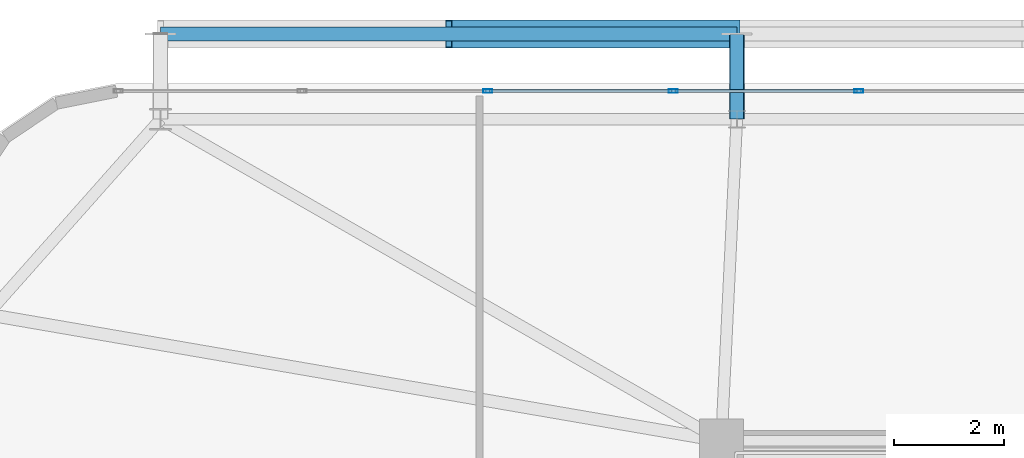
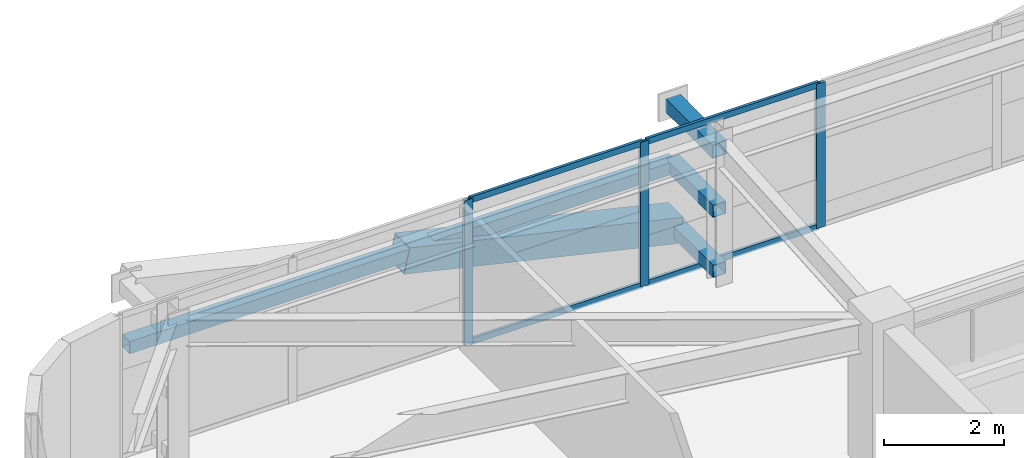
# One storey, part 35 of 59: 12 members, 1 element without a shape of its own.
"""IFC4 building model written with IfcOpenShell, lengths in metres."""

from ifc_helpers import new_model, si_unit, direction, frame, origin, origin_2d, place, context, subcontext, project, spatial, hollow_rectangle, extrude, source, transform, mapped, material, layer, layer_set, material_profile, profile_set, type_object, element, aggregate, save


model = new_model("IFC4")

# Units and contexts
model_context = context("Model", 3, precision=1e-05, world=origin(), true_north=direction((0.0, 1.0)))
body_context = subcontext(model_context, "Body", "Model", "MODEL_VIEW")
ifc_project = project(units=[si_unit("LENGTHUNIT", "METRE"), si_unit("AREAUNIT", "SQUARE_METRE"), si_unit("VOLUMEUNIT", "CUBIC_METRE"), si_unit("PLANEANGLEUNIT", "RADIAN"), si_unit("MASSUNIT", "GRAM", prefix="KILO")], contexts=[model_context])

# Site, building, storey
site_placement = place(None, origin())
site = spatial("IfcSite", under=ifc_project, at=site_placement, CompositionType="ELEMENT")
building_placement = place(site_placement, origin())
building = spatial("IfcBuilding", under=site, at=building_placement, Name="Taldren Reach Tower", CompositionType="ELEMENT")
storey_placement = place(building_placement, frame((0.0, 0.0, 26.25)))
storey = spatial("IfcBuildingStorey", under=building, at=storey_placement, Name="L07", CompositionType="ELEMENT", Elevation=26.25)

# Members
ifc_material_1 = material(Name="Steel Gr 450 (C450L0)", Category="steel")
ifc_material_profile_1 = material_profile(ifc_material_1, hollow_rectangle(XDim=0.27490234375, YDim=0.27490234375, WallThickness=0.00927734375, at=origin_2d()), Name="275x275x9.3SHS")
ifc_profile_set_1 = profile_set([ifc_material_profile_1], Name="Steel Gr 450 (C450L0)")
member_type_1 = type_object("IfcMemberType", Name="MB-TIE273", PredefinedType="STRUT", material=ifc_profile_set_1)
shared_shape_1 = source(origin(), body_context, "Body", "SweptSolid", [
    extrude(hollow_rectangle(XDim=0.27490234375, YDim=0.27490234375, WallThickness=0.00927734375, at=origin_2d()), origin(), (0.0, 0.0, 1.0), 1.5498046875),
])
member_1_placement = place(storey_placement, frame((19.280029296875, 37.85009765625, 2.64990234375), z_axis=(0.0, 1.0, 0.0), x_axis=(-1.0, 0.0, 0.0)))
element("IfcMember", 1, at=member_1_placement, inside=storey, type_object=member_type_1, Name="Exoskeleton diaphragm tie strut B1-N2 L07", PredefinedType="STRUT", context=body_context, shape_type="MappedRepresentation", body=[
    mapped(shared_shape_1, transform((0.0, 0.0, 0.0), scale=1.0)),
])
ifc_material_profile_2 = material_profile(ifc_material_1, hollow_rectangle(XDim=0.510009765625, YDim=0.510009765625, WallThickness=0.02001953125, at=origin_2d()), Name="510x510x20.0SHS")
ifc_profile_set_2 = profile_set([ifc_material_profile_2], Name="Steel Gr 450 (C450L0)")
member_type_2 = type_object("IfcMemberType", Name="MB-EXO508", PredefinedType="BRACE", material=ifc_profile_set_2)
shared_shape_2 = source(origin(), body_context, "Body", "SweptSolid", [
    extrude(hollow_rectangle(XDim=0.510009765625, YDim=0.510009765625, WallThickness=0.02001953125, at=origin_2d()), origin(), (0.0, 0.0, 1.0), 5.37890625),
])
member_2_placement = place(storey_placement, frame((19.280029296875, 39.39990234375, 0.219970703125), z_axis=(-0.97415197996, 0.0, 0.225893603143), x_axis=(0.0, -1.0, 0.0)))
element("IfcMember", 2, at=member_2_placement, inside=storey, type_object=member_type_2, Name="Exoskeleton Diagrid Brace B1-N1 L07", PredefinedType="BRACE", context=body_context, shape_type="MappedRepresentation", body=[
    mapped(shared_shape_2, transform((0.0, 0.0, 0.0), scale=1.0)),
])
ifc_material_2 = material(Name="Steel Gr 350 (C350L0)", Category="steel")
ifc_material_profile_3 = material_profile(ifc_material_2, hollow_rectangle(XDim=0.25, YDim=0.25, WallThickness=0.010009765625, at=origin_2d()), Name="250x250x10.0SHS")
ifc_profile_set_3 = profile_set([ifc_material_profile_3], Name="Steel Gr 350 (C350L0)")
member_type_3 = type_object("IfcMemberType", Name="MB-POST250", PredefinedType="POST", material=ifc_profile_set_3)
shared_shape_3 = source(origin(), body_context, "Body", "SweptSolid", [
    extrude(hollow_rectangle(XDim=0.25, YDim=0.25, WallThickness=0.010009765625, at=origin_2d()), origin(), (0.0, 0.0, 1.0), 10.47998046875),
])
member_3_placement = place(storey_placement, frame((8.800048828125, 39.39990234375, 1.43505859375), z_axis=(1.0, 0.0, 0.0), x_axis=(0.0, 1.0, 0.0)))
element("IfcMember", 3, at=member_3_placement, inside=storey, type_object=member_type_3, Name="Exoskeleton mid-height ring chord B1-N1 L07", PredefinedType="POST", context=body_context, shape_type="MappedRepresentation", body=[
    mapped(shared_shape_3, transform((0.0, 0.0, 0.0), scale=1.0)),
])
shared_shape_4 = source(origin(), body_context, "Body", "SweptSolid", [
    extrude(hollow_rectangle(XDim=0.25, YDim=0.25, WallThickness=0.010009765625, at=origin_2d()), origin(), (0.0, 0.0, 1.0), 1.5498046875),
])
for number, where, z_axis, x_axis, name in (
    (4, (19.280029296875, 37.85009765625, 0.219970703125), (0.0, 1.0, 0.0), (-1.0, 0.0, 0.0), "Exoskeleton base diaphragm tie strut B1-N2 L07"),
    (5, (19.280029296875, 37.85009765625, 1.43505859375), (0.0, 1.0, 0.0), (-1.0, 0.0, 0.0), "Exoskeleton mid-tier diaphragm tie B1-N2 L07"),
):
    element("IfcMember", number, at=place(storey_placement, frame(where, z_axis=z_axis, x_axis=x_axis)), inside=storey, type_object=member_type_3, Name=name, PredefinedType="POST", context=body_context, shape_type="MappedRepresentation", body=[
        mapped(shared_shape_4, transform((0.0, 0.0, 0.0), scale=1.0)),
    ])

# Curtain wall, members
ifc_material_3 = material(Name="Aluminium and Low-E Glass Unitised System", Category="aluminium")
ifc_layer = layer(ifc_material_3, 0.159912109375)
ifc_layer_set = layer_set([ifc_layer], Name="Aluminium and Low-E Glass Unitised System")
curtain_wall_type = type_object("IfcCurtainWallType", Name="CW-SYS-2", PredefinedType="NOTDEFINED", material=ifc_layer_set)
curtain_wall_placement = place(storey_placement, origin())
curtain_wall = element("IfcCurtainWall", 6, at=curtain_wall_placement, inside=storey, type_object=curtain_wall_type, Name="Unitised curtain wall CW-L07-N", PredefinedType="NOTDEFINED")
ifc_material_4 = material(Name="Anodised Aluminium 6063-T6", Category="aluminium")
ifc_material_profile_4 = material_profile(ifc_material_4, hollow_rectangle(XDim=0.06494140625, YDim=0.1650390625, WallThickness=0.00390625, at=origin_2d()), Name="ALU-165x65x4RHS")
ifc_profile_set_4 = profile_set([ifc_material_profile_4], Name="Anodised Aluminium 6063-T6")
member_type_4 = type_object("IfcMemberType", Name="CW-MUL-165", PredefinedType="MULLION", material=ifc_profile_set_4)
shared_shape_5 = source(origin(), body_context, "Body", "SweptSolid", [
    extrude(hollow_rectangle(XDim=0.06494140625, YDim=0.1650390625, WallThickness=0.00390625, at=origin_2d()), origin(), (0.0, 0.0, 1.0), 2.929931640625),
])
member_4_placement = place(storey_placement, frame((21.5, 38.360107421875, 0.0), z_axis=(0.0, 0.0, 1.0), x_axis=(0.0, -1.0, 0.0)))
member_4 = element("IfcMember", 7, at=member_4_placement, type_object=member_type_4, Name="CW-2 mullion 13", PredefinedType="MULLION", context=body_context, shape_type="MappedRepresentation", body=[
    mapped(shared_shape_5, transform((0.0, 0.0, 0.0), scale=1.0)),
])
member_5_placement = place(storey_placement, frame((18.125, 38.360107421875, 0.0), z_axis=(0.0, 0.0, 1.0), x_axis=(0.0, -1.0, 0.0)))
member_5 = element("IfcMember", 8, at=member_5_placement, type_object=member_type_4, Name="CW-2 mullion 14", PredefinedType="MULLION", context=body_context, shape_type="MappedRepresentation", body=[
    mapped(shared_shape_5, transform((0.0, 0.0, 0.0), scale=1.0)),
])
member_6_placement = place(storey_placement, frame((14.75, 38.360107421875, 0.0), z_axis=(0.0, 0.0, 1.0), x_axis=(0.0, -1.0, 0.0)))
member_6 = element("IfcMember", 9, at=member_6_placement, type_object=member_type_4, Name="CW-2 mullion 15", PredefinedType="MULLION", context=body_context, shape_type="MappedRepresentation", body=[
    mapped(shared_shape_5, transform((0.0, 0.0, 0.0), scale=1.0)),
])
ifc_material_profile_5 = material_profile(ifc_material_4, hollow_rectangle(XDim=0.054931640625, YDim=0.1201171875, WallThickness=0.0029296875, at=origin_2d()), Name="ALU-120x55x3RHS")
ifc_profile_set_5 = profile_set([ifc_material_profile_5], Name="Anodised Aluminium 6063-T6")
member_type_5 = type_object("IfcMemberType", Name="CW-TRN-135", PredefinedType="USERDEFINED", material=ifc_profile_set_5)
shared_shape_6 = source(origin(), body_context, "Body", "SweptSolid", [
    extrude(hollow_rectangle(XDim=0.054931640625, YDim=0.1201171875, WallThickness=0.0029296875, at=origin_2d()), origin(), (0.0, 0.0, 1.0), 3.31005859375),
])
member_7_placement = place(storey_placement, frame((21.467529296875, 38.360107421875, 0.027587890625), z_axis=(-1.0, 0.0, 0.0), x_axis=(0.0, -1.0, 0.0)))
member_7 = element("IfcMember", 10, at=member_7_placement, type_object=member_type_5, Name="CW-2 transom 13.1", ObjectType="TRANSOM", PredefinedType="USERDEFINED", context=body_context, shape_type="MappedRepresentation", body=[
    mapped(shared_shape_6, transform((0.0, 0.0, 0.0), scale=1.0)),
])
member_8_placement = place(storey_placement, frame((21.467529296875, 38.360107421875, 2.902587890625), z_axis=(-1.0, 0.0, 0.0), x_axis=(0.0, -1.0, 0.0)))
member_8 = element("IfcMember", 11, at=member_8_placement, type_object=member_type_5, Name="CW-2 transom 13.2", ObjectType="TRANSOM", PredefinedType="USERDEFINED", context=body_context, shape_type="MappedRepresentation", body=[
    mapped(shared_shape_6, transform((0.0, 0.0, 0.0), scale=1.0)),
])
member_9_placement = place(storey_placement, frame((18.092529296875, 38.360107421875, 0.027587890625), z_axis=(-1.0, 0.0, 0.0), x_axis=(0.0, -1.0, 0.0)))
member_9 = element("IfcMember", 12, at=member_9_placement, type_object=member_type_5, Name="CW-2 transom 14.1", ObjectType="TRANSOM", PredefinedType="USERDEFINED", context=body_context, shape_type="MappedRepresentation", body=[
    mapped(shared_shape_6, transform((0.0, 0.0, 0.0), scale=1.0)),
])
member_10_placement = place(storey_placement, frame((18.092529296875, 38.360107421875, 2.902587890625), z_axis=(-1.0, 0.0, 0.0), x_axis=(0.0, -1.0, 0.0)))
member_10 = element("IfcMember", 13, at=member_10_placement, type_object=member_type_5, Name="CW-2 transom 14.2", ObjectType="TRANSOM", PredefinedType="USERDEFINED", context=body_context, shape_type="MappedRepresentation", body=[
    mapped(shared_shape_6, transform((0.0, 0.0, 0.0), scale=1.0)),
])
aggregate(curtain_wall, [member_4, member_5, member_6, member_7, member_8, member_9, member_10])

save(model, "model.ifc")
